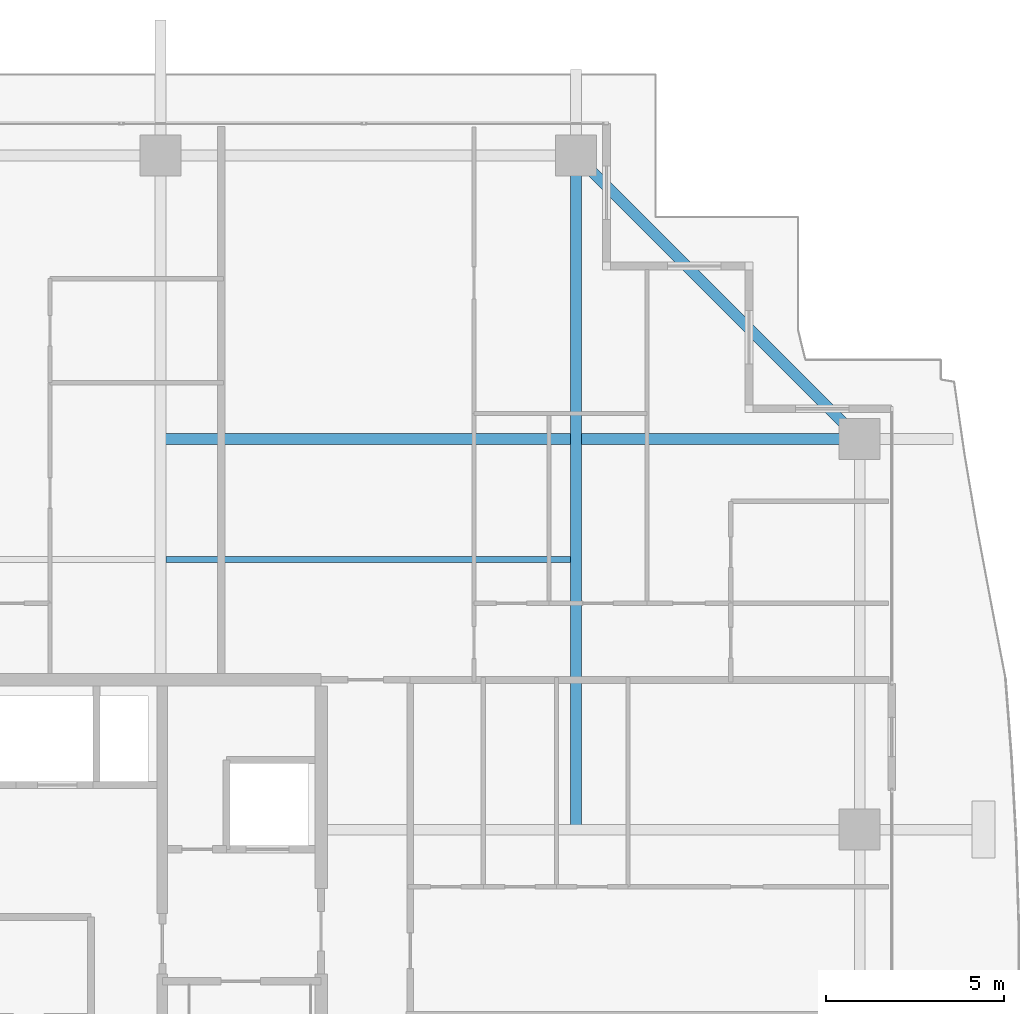
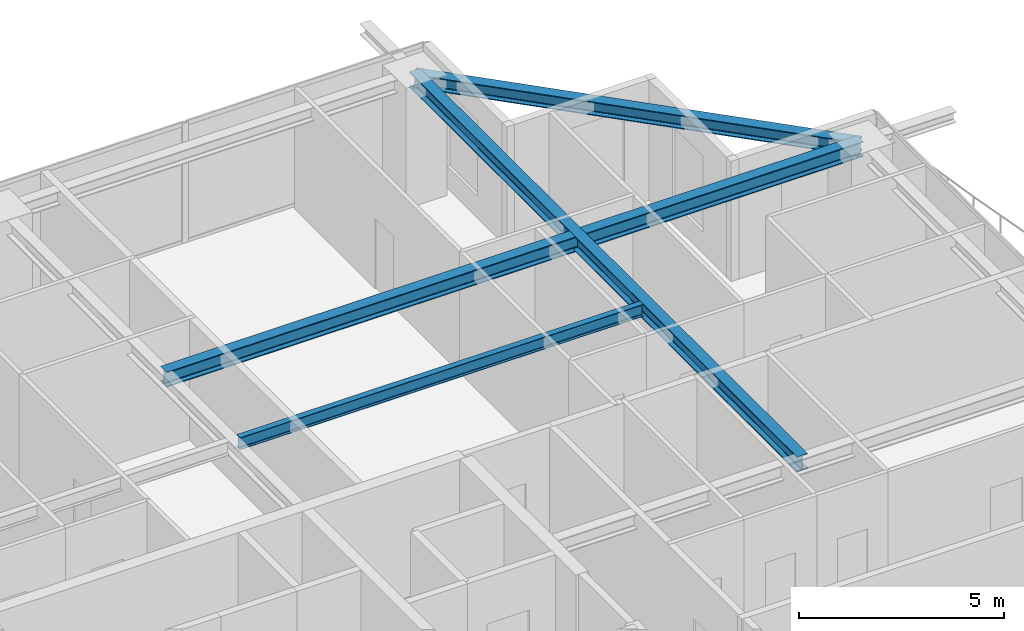
# One storey, part 22 of 38: 4 beams.
"""IFC4 building model written with IfcOpenShell, lengths in metres."""

from ifc_helpers import new_model, si_unit, direction, frame, origin, origin_2d, place, context, subcontext, project, spatial, i_section, extrude, source, transform, mapped, material, material_profile, profile_set, type_object, element, save


model = new_model("IFC4")

# Units and contexts
model_context = context("Model", 3, precision=1e-05, world=origin(), true_north=direction((0.0, 1.0)))
body_context = subcontext(model_context, "Body", "Model", "MODEL_VIEW")
ifc_project = project(units=[si_unit("LENGTHUNIT", "METRE"), si_unit("AREAUNIT", "SQUARE_METRE"), si_unit("VOLUMEUNIT", "CUBIC_METRE"), si_unit("PLANEANGLEUNIT", "RADIAN"), si_unit("MASSUNIT", "GRAM", prefix="KILO")], contexts=[model_context])

# Site, building, storey
site_placement = place(None, origin())
site = spatial("IfcSite", under=ifc_project, at=site_placement, CompositionType="ELEMENT")
building_placement = place(site_placement, origin())
building = spatial("IfcBuilding", under=site, at=building_placement, Name="Serunith Strait Residences", CompositionType="ELEMENT")
storey_placement = place(building_placement, frame((0.0, 0.0, 245.10009765625)))
storey = spatial("IfcBuildingStorey", under=building, at=storey_placement, Name="L61", CompositionType="ELEMENT", Elevation=245.10009765625)

# Beams
ifc_material = material(Name="Steel S355J2", Category="steel")
ifc_material_profile_1 = material_profile(ifc_material, i_section(OverallWidth=0.300048828125, OverallDepth=0.449951171875, WebThickness=0.013916015625, FlangeThickness=0.02587890625, FilletRadius=0.027099609375, at=origin_2d()), Name="HEB 450")
ifc_profile_set_1 = profile_set([ifc_material_profile_1], Name="Steel S355J2")
beam_type_1 = type_object("IfcBeamType", Name="BM-HEB450", PredefinedType="BEAM", material=ifc_profile_set_1)
shared_shape_1 = source(origin(), body_context, "Body", "SweptSolid", [
    extrude(i_section(OverallWidth=0.300048828125, OverallDepth=0.449951171875, WebThickness=0.013916015625, FlangeThickness=0.02587890625, FilletRadius=0.027099609375, at=origin_2d()), origin(), (0.0, 0.0, 1.0), 18.900146484375),
])
beam_1_placement = place(storey_placement, frame((48.550048828125, 29.39990234375, 3.36181640625), z_axis=(0.0, 1.0, 0.0), x_axis=(-1.0, 0.0, 0.0)))
element("IfcBeam", 1, at=beam_1_placement, inside=storey, type_object=beam_type_1, Name="L61 Orthogonal Corner Girder TC-N4", PredefinedType="BEAM", context=body_context, shape_type="MappedRepresentation", body=[
    mapped(shared_shape_1, transform((0.0, 0.0, 0.0), scale=1.0)),
])
shared_shape_2 = source(origin(), body_context, "Body", "SweptSolid", [
    extrude(i_section(OverallWidth=0.300048828125, OverallDepth=0.449951171875, WebThickness=0.013916015625, FlangeThickness=0.02587890625, FilletRadius=0.027099609375, at=origin_2d()), origin(), (0.0, 0.0, 1.0), 19.60009765625),
])
beam_2_placement = place(storey_placement, frame((36.89990234375, 40.35009765625, 3.36181640625), z_axis=(1.0, 0.0, 0.0), x_axis=(0.0, 1.0, 0.0)))
element("IfcBeam", 2, at=beam_2_placement, inside=storey, type_object=beam_type_1, Name="L61 Orthogonal Corner Girder TC-E4", PredefinedType="BEAM", context=body_context, shape_type="MappedRepresentation", body=[
    mapped(shared_shape_2, transform((0.0, 0.0, 0.0), scale=1.0)),
])
ifc_material_profile_2 = material_profile(ifc_material, i_section(OverallWidth=0.300048828125, OverallDepth=0.39990234375, WebThickness=0.013427734375, FlangeThickness=0.02392578125, FilletRadius=0.027099609375, at=origin_2d()), Name="HEB 400")
ifc_profile_set_2 = profile_set([ifc_material_profile_2], Name="Steel S355J2")
beam_type_2 = type_object("IfcBeamType", Name="BM-HEB400", PredefinedType="BEAM", material=ifc_profile_set_2)
shared_shape_3 = source(origin(), body_context, "Body", "SweptSolid", [
    extrude(i_section(OverallWidth=0.300048828125, OverallDepth=0.39990234375, WebThickness=0.013427734375, FlangeThickness=0.02392578125, FilletRadius=0.027099609375, at=origin_2d()), origin(), (0.0, 0.0, 1.0), 11.242919921875),
])
beam_3_placement = place(storey_placement, frame((56.5, 40.35009765625, 3.35693359375), z_axis=(-0.707106781187, 0.707106781187, 0.0), x_axis=(-0.707106781187, -0.707106781187, 0.0)))
element("IfcBeam", 3, at=beam_3_placement, inside=storey, type_object=beam_type_2, Name="L61 Perimeter Ring Beam 08", PredefinedType="BEAM", context=body_context, shape_type="MappedRepresentation", body=[
    mapped(shared_shape_3, transform((0.0, 0.0, 0.0), scale=1.0)),
])
ifc_material_profile_3 = material_profile(ifc_material, i_section(OverallWidth=0.169921875, OverallDepth=0.360107421875, WebThickness=0.008056640625, FlangeThickness=0.0126953125, FilletRadius=0.01806640625, at=origin_2d()), Name="IPE 360")
ifc_profile_set_3 = profile_set([ifc_material_profile_3], Name="Steel S355J2")
beam_type_3 = type_object("IfcBeamType", Name="BM-IPE360", PredefinedType="JOIST", material=ifc_profile_set_3)
shared_shape_4 = source(origin(), body_context, "Body", "SweptSolid", [
    extrude(i_section(OverallWidth=0.169921875, OverallDepth=0.360107421875, WebThickness=0.008056640625, FlangeThickness=0.0126953125, FilletRadius=0.01806640625, at=origin_2d()), origin(), (0.0, 0.0, 1.0), 11.349853515625),
])
beam_4_placement = place(storey_placement, frame((37.050048828125, 36.97509765625, 3.406982421875), z_axis=(1.0, 0.0, 0.0), x_axis=(0.0, 1.0, 0.0)))
element("IfcBeam", 4, at=beam_4_placement, inside=storey, type_object=beam_type_3, Name="L61 Composite Floor Joist 06", PredefinedType="JOIST", context=body_context, shape_type="MappedRepresentation", body=[
    mapped(shared_shape_4, transform((0.0, 0.0, 0.0), scale=1.0)),
])

save(model, "model.ifc")
